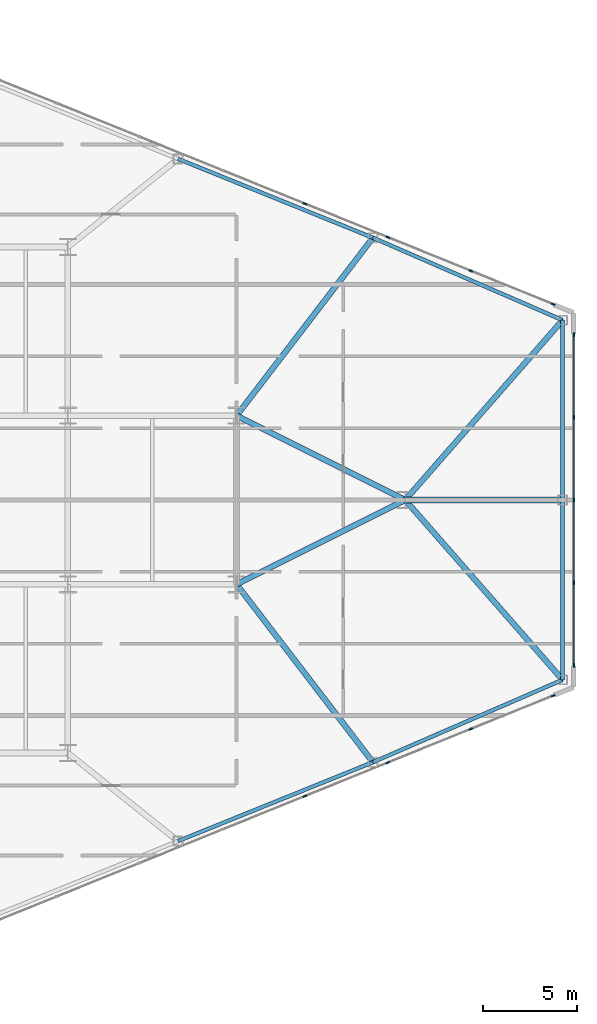
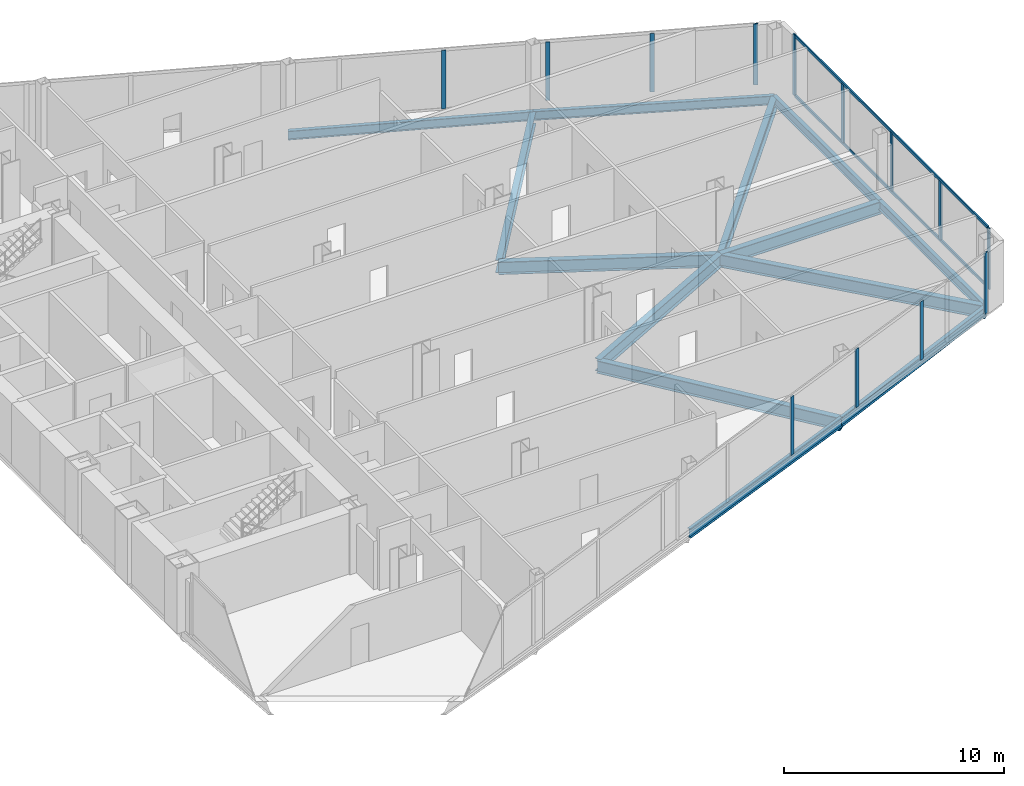
# One storey, part 14 of 25: 15 members, 13 beams, 3 elements without a shape of their own.
"""IFC4 building model written with IfcOpenShell, lengths in metres."""

from ifc_helpers import new_model, si_unit, direction, frame, origin, origin_2d, place, context, subcontext, project, spatial, rectangle, i_section, extrude, source, transform, mapped, material, layer, layer_set, material_profile, profile_set, type_object, type_shapes, element, aggregate, save


model = new_model("IFC4")

# Units and contexts
model_context = context("Model", 3, precision=1e-05, world=origin(), true_north=direction((0.0, 1.0)))
body_context = subcontext(model_context, "Body", "Model", "MODEL_VIEW")
ifc_project = project(units=[si_unit("LENGTHUNIT", "METRE"), si_unit("AREAUNIT", "SQUARE_METRE"), si_unit("VOLUMEUNIT", "CUBIC_METRE"), si_unit("PLANEANGLEUNIT", "RADIAN"), si_unit("MASSUNIT", "GRAM", prefix="KILO")], contexts=[model_context])

# Site, building, storey
site_placement = place(None, origin())
site = spatial("IfcSite", under=ifc_project, at=site_placement, CompositionType="ELEMENT")
building_placement = place(site_placement, origin())
building = spatial("IfcBuilding", under=site, at=building_placement, Name="Seokmaru Belvedere", CompositionType="ELEMENT")
storey_placement = place(building_placement, frame((0.0, 0.0, 40.5)))
storey = spatial("IfcBuildingStorey", under=building, at=storey_placement, Name="L10", CompositionType="ELEMENT", Elevation=40.5)

# Beams
ifc_material_1 = material(Name="Steel SM355 (355 MPa)", Category="steel")
ifc_material_profile_1 = material_profile(ifc_material_1, i_section(OverallWidth=0.300048828125, OverallDepth=0.699951171875, WebThickness=0.012939453125, FlangeThickness=0.02392578125, at=origin_2d()), Name="H-700x300x13x24")
ifc_profile_set_1 = profile_set([ifc_material_profile_1], Name="Steel SM355 (355 MPa)")
beam_type_1 = type_object("IfcBeamType", Name="Primary Floor Girder H-700", PredefinedType="BEAM", material=ifc_profile_set_1)
shared_shape_1 = source(origin(), body_context, "Body", "SweptSolid", [
    extrude(i_section(OverallWidth=0.300048828125, OverallDepth=0.699951171875, WebThickness=0.012939453125, FlangeThickness=0.02392578125, at=origin_2d()), origin(), (0.0, 0.0, 1.0), 10.062255859375),
])
for number, where, z_axis, x_axis, name in (
    (1, (54.5, -4.5, -0.570068359375), (0.894427191, 0.4472135955, 0.0), (-0.4472135955, 0.894427191, 0.0), "L10 E Apex Converging Girder 1"),
    (2, (54.5, 4.5, -0.570068359375), (0.894427191, -0.4472135955, 0.0), (0.4472135955, 0.894427191, 0.0), "L10 E Apex Converging Girder 2"),
):
    element("IfcBeam", number, at=place(storey_placement, frame(where, z_axis=z_axis, x_axis=x_axis)), inside=storey, type_object=beam_type_1, Name=name, PredefinedType="BEAM", context=body_context, shape_type="MappedRepresentation", body=[
        mapped(shared_shape_1, transform((0.0, 0.0, 0.0), scale=1.0)),
    ])
shared_shape_2 = source(origin(), body_context, "Body", "SweptSolid", [
    extrude(i_section(OverallWidth=0.300048828125, OverallDepth=0.699951171875, WebThickness=0.012939453125, FlangeThickness=0.02392578125, at=origin_2d()), origin(), (0.0, 0.0, 1.0), 12.7529296875),
])
for number, where, z_axis, x_axis, name in (
    (3, (71.89990234375, -9.595703125, -0.570068359375), (-0.658667231479, 0.752434368019, 0.0), (-0.752434368019, -0.658667231479, 0.0), "L10 E Apex Radial Floor Girder 1"),
    (4, (71.89990234375, 9.595703125, -0.570068359375), (-0.658667231479, -0.752434368019, 0.0), (0.752434368019, -0.658667231479, 0.0), "L10 E Apex Radial Floor Girder 2"),
):
    element("IfcBeam", number, at=place(storey_placement, frame(where, z_axis=z_axis, x_axis=x_axis)), inside=storey, type_object=beam_type_1, Name=name, PredefinedType="BEAM", context=body_context, shape_type="MappedRepresentation", body=[
        mapped(shared_shape_2, transform((0.0, 0.0, 0.0), scale=1.0)),
    ])
ifc_material_profile_2 = material_profile(ifc_material_1, i_section(OverallWidth=0.199951171875, OverallDepth=0.5, WebThickness=0.010009765625, FlangeThickness=0.01611328125, at=origin_2d()), Name="H-500x200x10x16")
ifc_profile_set_2 = profile_set([ifc_material_profile_2], Name="Steel SM355 (355 MPa)")
beam_type_2 = type_object("IfcBeamType", Name="Perimeter Spandrel Beam H-500", PredefinedType="SPANDREL", material=ifc_profile_set_2)
shared_shape_3 = source(origin(), body_context, "Body", "SweptSolid", [
    extrude(i_section(OverallWidth=0.199951171875, OverallDepth=0.5, WebThickness=0.010009765625, FlangeThickness=0.01611328125, at=origin_2d()), origin(), (0.0, 0.0, 1.0), 11.220703125),
])
for number, where, z_axis, x_axis, name in (
    (5, (51.378173828125, -18.2041015625, -0.469970703125), (0.926944290816, 0.375198989503, 0.0), (-0.375198989503, 0.926944290816, 0.0), "L10 E Faceted Flank Spandrel S-3"),
    (6, (51.378173828125, 18.2041015625, -0.469970703125), (0.926944290816, -0.375198989503, 0.0), (0.375198989503, 0.926944290816, 0.0), "L10 E Faceted Flank Spandrel N-3"),
):
    element("IfcBeam", number, at=place(storey_placement, frame(where, z_axis=z_axis, x_axis=x_axis)), inside=storey, type_object=beam_type_2, Name=name, PredefinedType="SPANDREL", context=body_context, shape_type="MappedRepresentation", body=[
        mapped(shared_shape_3, transform((0.0, 0.0, 0.0), scale=1.0)),
    ])
shared_shape_4 = source(origin(), body_context, "Body", "SweptSolid", [
    extrude(i_section(OverallWidth=0.199951171875, OverallDepth=0.5, WebThickness=0.010009765625, FlangeThickness=0.01611328125, at=origin_2d()), origin(), (0.0, 0.0, 1.0), 11.035400390625),
])
for number, where, z_axis, x_axis, name in (
    (7, (61.779052734375, -13.994140625, -0.469970703125), (0.917134058682, 0.398578873507, 0.0), (-0.398578873507, 0.917134058682, 0.0), "L10 E Faceted Flank Spandrel S-4"),
    (8, (61.779052734375, 13.994140625, -0.469970703125), (0.917134058682, -0.398578873507, 0.0), (0.398578873507, 0.917134058682, 0.0), "L10 E Faceted Flank Spandrel N-4"),
):
    element("IfcBeam", number, at=place(storey_placement, frame(where, z_axis=z_axis, x_axis=x_axis)), inside=storey, type_object=beam_type_2, Name=name, PredefinedType="SPANDREL", context=body_context, shape_type="MappedRepresentation", body=[
        mapped(shared_shape_4, transform((0.0, 0.0, 0.0), scale=1.0)),
    ])
shared_shape_5 = source(origin(), body_context, "Body", "SweptSolid", [
    extrude(i_section(OverallWidth=0.199951171875, OverallDepth=0.5, WebThickness=0.010009765625, FlangeThickness=0.01611328125, at=origin_2d()), origin(), (0.0, 0.0, 1.0), 9.595703125),
])
type_shapes(beam_type_2, [shared_shape_3, shared_shape_4, shared_shape_5])
for number, where, z_axis, x_axis, name in (
    (9, (71.89990234375, -9.595703125, -0.469970703125), (0.0, 1.0, 0.0), (-1.0, 0.0, 0.0), "L10 E Faceted Apex Spandrel S"),
    (10, (71.89990234375, 0.0, -0.469970703125), (0.0, 1.0, 0.0), (-1.0, 0.0, 0.0), "L10 E Faceted Apex Spandrel N"),
):
    element("IfcBeam", number, at=place(storey_placement, frame(where, z_axis=z_axis, x_axis=x_axis)), inside=storey, type_object=beam_type_2, Name=name, PredefinedType="SPANDREL", context=body_context, shape_type="MappedRepresentation", body=[
        mapped(shared_shape_5, transform((0.0, 0.0, 0.0), scale=1.0)),
    ])
shared_shape_6 = source(origin(), body_context, "Body", "SweptSolid", [
    extrude(i_section(OverallWidth=0.300048828125, OverallDepth=0.699951171875, WebThickness=0.012939453125, FlangeThickness=0.02392578125, at=origin_2d()), origin(), (0.0, 0.0, 1.0), 11.96337890625),
])
for number, where, z_axis, x_axis, name in (
    (11, (61.779052734375, -13.994140625, -0.570068359375), (-0.608442682624, 0.793597821294, 0.0), (-0.793597821294, -0.608442682624, 0.0), "L10 E Flank Radial Floor Girder S-3"),
    (12, (61.779052734375, 13.994140625, -0.570068359375), (-0.608442682624, -0.793597821294, 0.0), (0.793597821294, -0.608442682624, 0.0), "L10 E Flank Radial Floor Girder N-3"),
):
    element("IfcBeam", number, at=place(storey_placement, frame(where, z_axis=z_axis, x_axis=x_axis)), inside=storey, type_object=beam_type_1, Name=name, PredefinedType="BEAM", context=body_context, shape_type="MappedRepresentation", body=[
        mapped(shared_shape_6, transform((0.0, 0.0, 0.0), scale=1.0)),
    ])
shared_shape_7 = source(origin(), body_context, "Body", "SweptSolid", [
    extrude(i_section(OverallWidth=0.300048828125, OverallDepth=0.699951171875, WebThickness=0.012939453125, FlangeThickness=0.02392578125, at=origin_2d()), origin(), (0.0, 0.0, 1.0), 8.39990234375),
])
type_shapes(beam_type_1, [shared_shape_1, shared_shape_2, shared_shape_6, shared_shape_7])
beam_placement = place(storey_placement, frame((71.89990234375, 0.0, -0.570068359375), z_axis=(-1.0, 0.0, 0.0), x_axis=(0.0, -1.0, 0.0)))
element("IfcBeam", 13, at=beam_placement, inside=storey, type_object=beam_type_1, Name="L10 E Apex Center Radial Girder", PredefinedType="BEAM", context=body_context, shape_type="MappedRepresentation", body=[
    mapped(shared_shape_7, transform((0.0, 0.0, 0.0), scale=1.0)),
])

# Curtain wall, members
ifc_material_2 = material(Name="Bronze Triple Insulating Glass", Category="glass")
ifc_layer = layer(ifc_material_2, 0.2099609375)
ifc_layer_set = layer_set([ifc_layer], Name="Bronze Triple Insulating Glass")
curtain_wall_type = type_object("IfcCurtainWallType", Name="Low-Rise Faceted Crystal Curtain Wall System CW-2", PredefinedType="NOTDEFINED", material=ifc_layer_set)
curtain_wall_1_placement = place(storey_placement, origin())
curtain_wall_1 = element("IfcCurtainWall", 14, at=curtain_wall_1_placement, inside=storey, type_object=curtain_wall_type, Name="L10 Curtain Wall EF1", PredefinedType="NOTDEFINED")
ifc_material_3 = material(Name="Anodised Bronze Aluminium", Category="aluminium")
ifc_material_profile_3 = material_profile(ifc_material_3, rectangle(XDim=0.074951171875, YDim=0.2099609375, at=origin_2d()), Name="CW-M-75x210")
ifc_profile_set_3 = profile_set([ifc_material_profile_3], Name="Anodised Bronze Aluminium")
member_type_1 = type_object("IfcMemberType", Name="Bronze Unitised Mullion 75x210", PredefinedType="MULLION", material=ifc_profile_set_3)
shared_shape_8 = source(origin(), body_context, "Body", "SweptSolid", [
    extrude(rectangle(XDim=0.074951171875, YDim=0.2099609375, at=origin_2d()), origin(), (0.0, 0.0, 1.0), 3.239990234375),
])
member_1_placement = place(storey_placement, frame((58.144775390625, -15.810546875, 0.070068359375), z_axis=(0.0, 0.0, 1.0), x_axis=(-0.375192321888, 0.926946989637, 0.0)))
member_1 = element("IfcMember", 15, at=member_1_placement, type_object=member_type_1, Name="CW:L10:EF1 Mullion 7", PredefinedType="MULLION", context=body_context, shape_type="MappedRepresentation", body=[
    mapped(shared_shape_8, transform((0.0, 0.0, 0.0), scale=1.0)),
])
member_2_placement = place(storey_placement, frame((62.574462890625, -14.017578125, 0.070068359375), z_axis=(0.0, 0.0, 1.0), x_axis=(-0.375192321888, 0.926946989637, 0.0)))
member_2 = element("IfcMember", 16, at=member_2_placement, type_object=member_type_1, Name="CW:L10:EF1 Mullion 8", PredefinedType="MULLION", context=body_context, shape_type="MappedRepresentation", body=[
    mapped(shared_shape_8, transform((0.0, 0.0, 0.0), scale=1.0)),
])
member_3_placement = place(storey_placement, frame((67.004150390625, -12.224609375, 0.070068359375), z_axis=(0.0, 0.0, 1.0), x_axis=(-0.375192321888, 0.926946989637, 0.0)))
member_3 = element("IfcMember", 17, at=member_3_placement, type_object=member_type_1, Name="CW:L10:EF1 Mullion 9", PredefinedType="MULLION", context=body_context, shape_type="MappedRepresentation", body=[
    mapped(shared_shape_8, transform((0.0, 0.0, 0.0), scale=1.0)),
])

curtain_wall_2_placement = place(storey_placement, origin())
curtain_wall_2 = element("IfcCurtainWall", 18, at=curtain_wall_2_placement, inside=storey, type_object=curtain_wall_type, Name="L10 Curtain Wall EF2", PredefinedType="NOTDEFINED")
member_4_placement = place(storey_placement, frame((72.5, -4.425048828125, 0.070068359375), z_axis=(0.0, 0.0, 1.0), x_axis=(-1.0, 0.0, 0.0)))
member_4 = element("IfcMember", 19, at=member_4_placement, type_object=member_type_1, Name="CW:L10:EF2 Mullion 2", PredefinedType="MULLION", context=body_context, shape_type="MappedRepresentation", body=[
    mapped(shared_shape_8, transform((0.0, 0.0, 0.0), scale=1.0)),
])
member_5_placement = place(storey_placement, frame((72.5, 0.0, 0.070068359375), z_axis=(0.0, 0.0, 1.0), x_axis=(-1.0, 0.0, 0.0)))
member_5 = element("IfcMember", 20, at=member_5_placement, type_object=member_type_1, Name="CW:L10:EF2 Mullion 3", PredefinedType="MULLION", context=body_context, shape_type="MappedRepresentation", body=[
    mapped(shared_shape_8, transform((0.0, 0.0, 0.0), scale=1.0)),
])
member_6_placement = place(storey_placement, frame((72.5, 4.425048828125, 0.070068359375), z_axis=(0.0, 0.0, 1.0), x_axis=(-1.0, 0.0, 0.0)))
member_6 = element("IfcMember", 21, at=member_6_placement, type_object=member_type_1, Name="CW:L10:EF2 Mullion 4", PredefinedType="MULLION", context=body_context, shape_type="MappedRepresentation", body=[
    mapped(shared_shape_8, transform((0.0, 0.0, 0.0), scale=1.0)),
])

curtain_wall_3_placement = place(storey_placement, origin())
curtain_wall_3 = element("IfcCurtainWall", 22, at=curtain_wall_3_placement, inside=storey, type_object=curtain_wall_type, Name="L10 Curtain Wall EF3", PredefinedType="NOTDEFINED")
member_7_placement = place(storey_placement, frame((67.004150390625, 12.224609375, 0.070068359375), z_axis=(0.0, 0.0, 1.0), x_axis=(-0.375192321888, -0.926946989637, 0.0)))
member_7 = element("IfcMember", 23, at=member_7_placement, type_object=member_type_1, Name="CW:L10:EF3 Mullion 2", PredefinedType="MULLION", context=body_context, shape_type="MappedRepresentation", body=[
    mapped(shared_shape_8, transform((0.0, 0.0, 0.0), scale=1.0)),
])
member_8_placement = place(storey_placement, frame((62.574462890625, 14.017578125, 0.070068359375), z_axis=(0.0, 0.0, 1.0), x_axis=(-0.375192321888, -0.926946989637, 0.0)))
member_8 = element("IfcMember", 24, at=member_8_placement, type_object=member_type_1, Name="CW:L10:EF3 Mullion 3", PredefinedType="MULLION", context=body_context, shape_type="MappedRepresentation", body=[
    mapped(shared_shape_8, transform((0.0, 0.0, 0.0), scale=1.0)),
])
member_9_placement = place(storey_placement, frame((58.144775390625, 15.810546875, 0.070068359375), z_axis=(0.0, 0.0, 1.0), x_axis=(-0.375192321888, -0.926946989637, 0.0)))
member_9 = element("IfcMember", 25, at=member_9_placement, type_object=member_type_1, Name="CW:L10:EF3 Mullion 4", PredefinedType="MULLION", context=body_context, shape_type="MappedRepresentation", body=[
    mapped(shared_shape_8, transform((0.0, 0.0, 0.0), scale=1.0)),
])

# Member
ifc_material_profile_4 = material_profile(ifc_material_3, rectangle(XDim=0.070068359375, YDim=0.1650390625, at=origin_2d()), Name="CW-T-70x165")
ifc_profile_set_4 = profile_set([ifc_material_profile_4], Name="Anodised Bronze Aluminium")
member_type_2 = type_object("IfcMemberType", Name="Bronze Unitised Transom 70x165", PredefinedType="USERDEFINED", material=ifc_profile_set_4)
shared_shape_9 = source(origin(), body_context, "Body", "SweptSolid", [
    extrude(rectangle(XDim=0.070068359375, YDim=0.1650390625, at=origin_2d()), origin(), (0.0, 0.0, 1.0), 17.5498046875),
])
type_shapes(member_type_2, [shared_shape_9])
member_10_placement = place(storey_placement, frame((72.5, -8.77490234375, 0.034912109375), z_axis=(0.0, 1.0, 0.0), x_axis=(-1.0, 0.0, 0.0)))
member_10 = element("IfcMember", 26, at=member_10_placement, type_object=member_type_2, Name="CW:L10:EF2 Continuous Transom 1", ObjectType="TRANSOM", PredefinedType="USERDEFINED", context=body_context, shape_type="MappedRepresentation", body=[
    mapped(shared_shape_9, transform((0.0, 0.0, 0.0), scale=1.0)),
])

member_11_placement = place(storey_placement, frame((72.5, -8.77490234375, 3.344970703125), z_axis=(0.0, 1.0, 0.0), x_axis=(-1.0, 0.0, 0.0)))
member_11 = element("IfcMember", 27, at=member_11_placement, type_object=member_type_2, Name="CW:L10:EF2 Continuous Transom 2", ObjectType="TRANSOM", PredefinedType="USERDEFINED", context=body_context, shape_type="MappedRepresentation", body=[
    mapped(shared_shape_9, transform((0.0, 0.0, 0.0), scale=1.0)),
])

shared_shape_10 = source(origin(), body_context, "Body", "SweptSolid", [
    extrude(rectangle(XDim=0.074951171875, YDim=0.2099609375, at=origin_2d()), origin(), (0.0, 0.0, 1.0), 3.3798828125),
])
type_shapes(member_type_1, [shared_shape_8, shared_shape_10])
member_12_placement = place(storey_placement, frame((71.399169921875, -10.445556640625, 0.0), z_axis=(0.0, 0.0, 1.0), x_axis=(-0.375192321888, 0.926946989637, 0.0)))
member_12 = element("IfcMember", 28, at=member_12_placement, type_object=member_type_1, Name="CW:L10:EF1 Mullion 10", PredefinedType="MULLION", context=body_context, shape_type="MappedRepresentation", body=[
    mapped(shared_shape_10, transform((0.0, 0.0, 0.0), scale=1.0)),
])

aggregate(curtain_wall_1, [member_1, member_2, member_3, member_12])

member_13_placement = place(storey_placement, frame((72.5, -8.8125, 0.0), z_axis=(0.0, 0.0, 1.0), x_axis=(-1.0, 0.0, 0.0)))
member_13 = element("IfcMember", 29, at=member_13_placement, type_object=member_type_1, Name="CW:L10:EF2 Mullion 1", PredefinedType="MULLION", context=body_context, shape_type="MappedRepresentation", body=[
    mapped(shared_shape_10, transform((0.0, 0.0, 0.0), scale=1.0)),
])

member_14_placement = place(storey_placement, frame((72.5, 8.8125, 0.0), z_axis=(0.0, 0.0, 1.0), x_axis=(-1.0, 0.0, 0.0)))
member_14 = element("IfcMember", 30, at=member_14_placement, type_object=member_type_1, Name="CW:L10:EF2 Mullion 5", PredefinedType="MULLION", context=body_context, shape_type="MappedRepresentation", body=[
    mapped(shared_shape_10, transform((0.0, 0.0, 0.0), scale=1.0)),
])

aggregate(curtain_wall_2, [member_13, member_4, member_5, member_6, member_14, member_10, member_11])

member_15_placement = place(storey_placement, frame((71.399169921875, 10.445556640625, 0.0), z_axis=(0.0, 0.0, 1.0), x_axis=(-0.375192321888, -0.926946989637, 0.0)))
member_15 = element("IfcMember", 31, at=member_15_placement, type_object=member_type_1, Name="CW:L10:EF3 Mullion 1", PredefinedType="MULLION", context=body_context, shape_type="MappedRepresentation", body=[
    mapped(shared_shape_10, transform((0.0, 0.0, 0.0), scale=1.0)),
])

aggregate(curtain_wall_3, [member_15, member_7, member_8, member_9])

save(model, "model.ifc")
